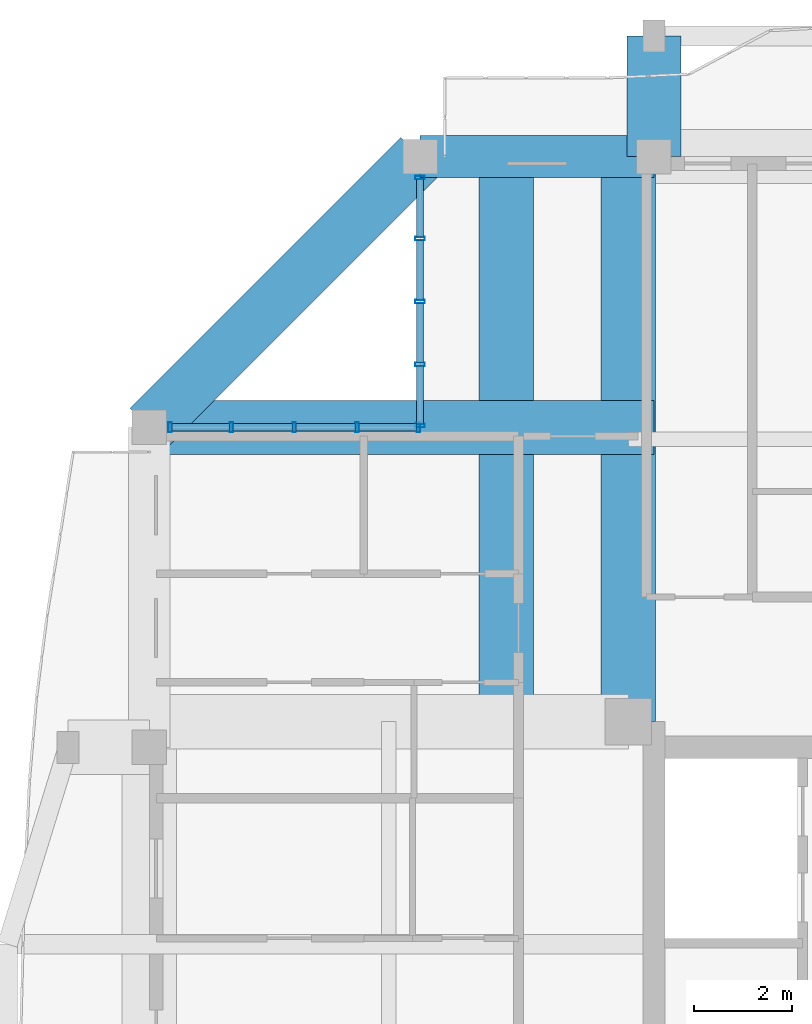
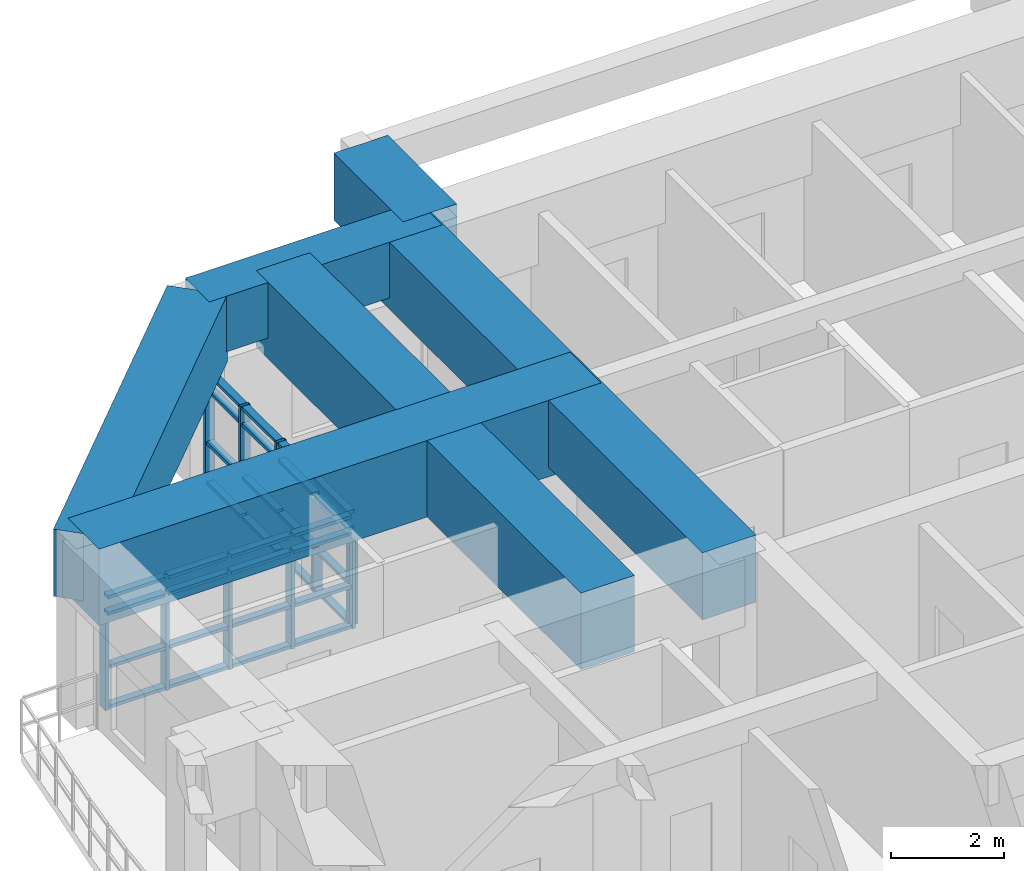
# One storey, part 8 of 27: 42 members, 6 beams, 2 elements without a shape of their own.
"""IFC4 building model written with IfcOpenShell, lengths in metres."""

from ifc_helpers import new_model, si_unit, direction, frame, origin, origin_2d, place, context, subcontext, project, spatial, rectangle, hollow_rectangle, extrude, source, transform, mapped, material, layer, layer_set, material_profile, profile_set, type_object, element, aggregate, save


model = new_model("IFC4")

# Units and contexts
model_context = context("Model", 3, precision=1e-05, world=origin(), true_north=direction((0.0, 1.0)))
body_context = subcontext(model_context, "Body", "Model", "MODEL_VIEW")
ifc_project = project(units=[si_unit("LENGTHUNIT", "METRE"), si_unit("AREAUNIT", "SQUARE_METRE"), si_unit("VOLUMEUNIT", "CUBIC_METRE"), si_unit("PLANEANGLEUNIT", "RADIAN"), si_unit("MASSUNIT", "GRAM", prefix="KILO")], contexts=[model_context])

# Site, building, storey
site_placement = place(None, origin())
site = spatial("IfcSite", under=ifc_project, at=site_placement, CompositionType="ELEMENT")
building_placement = place(site_placement, origin())
building = spatial("IfcBuilding", under=site, at=building_placement, Name="Saelheon Loggia Tower", CompositionType="ELEMENT")
storey_placement = place(building_placement, frame((0.0, 0.0, 236.10009765625)))
storey = spatial("IfcBuildingStorey", under=building, at=storey_placement, Name="L73", CompositionType="ELEMENT", Elevation=236.10009765625)

# Beams
ifc_material_1 = material(Name="Concrete C50/60", Category="concrete")
ifc_material_profile_1 = material_profile(ifc_material_1, rectangle(XDim=1.10009765625, YDim=1.449951171875, at=origin_2d()), Name="RC-1100x1450")
ifc_profile_set_1 = profile_set([ifc_material_profile_1], Name="Concrete C50/60")
beam_type_1 = type_object("IfcBeamType", Name="Beam_PerimTransfer_RC1100x1450", PredefinedType="BEAM", material=ifc_profile_set_1)
shared_shape_1 = source(origin(), body_context, "Body", "SweptSolid", [
    extrude(rectangle(XDim=1.10009765625, YDim=1.449951171875, at=origin_2d()), origin(), (0.0, 0.0, 1.0), 2.449951171875),
])
beam_1_placement = place(storey_placement, frame((31.5, 48.0, 3.1748046875), z_axis=(0.0, 1.0, 0.0), x_axis=(-1.0, 0.0, 0.0)))
element("IfcBeam", 1, at=beam_1_placement, inside=storey, type_object=beam_type_1, Name="L73 Loggia Frame Tie Beam LP-N1", PredefinedType="BEAM", context=body_context, shape_type="MappedRepresentation", body=[
    mapped(shared_shape_1, transform((0.0, 0.0, 0.0), scale=1.0)),
])
ifc_material_profile_2 = material_profile(ifc_material_1, rectangle(XDim=1.10009765625, YDim=1.449951171875, at=origin_2d()), Name="RC-1100x1450")
ifc_profile_set_2 = profile_set([ifc_material_profile_2], Name="Concrete C50/60")
beam_type_2 = type_object("IfcBeamType", Name="Beam_Transfer_RC1100x1450", PredefinedType="BEAM", material=ifc_profile_set_2)
shared_shape_2 = source(origin(), body_context, "Body", "SweptSolid", [
    extrude(rectangle(XDim=1.10009765625, YDim=1.449951171875, at=origin_2d()), origin(), (0.0, 0.0, 1.0), 11.47998046875),
])
beam_2_placement = place(storey_placement, frame((30.97998046875, 36.52001953125, 3.1748046875), z_axis=(0.0, 1.0, 0.0), x_axis=(-1.0, 0.0, 0.0)))
element("IfcBeam", 2, at=beam_2_placement, inside=storey, type_object=beam_type_2, Name="L73 Radial Floor Girder RAD-NW-N", PredefinedType="BEAM", context=body_context, shape_type="MappedRepresentation", body=[
    mapped(shared_shape_2, transform((0.0, 0.0, 0.0), scale=1.0)),
])
ifc_material_profile_3 = material_profile(ifc_material_1, rectangle(XDim=1.10009765625, YDim=1.64990234375, at=origin_2d()), Name="RC-1100x1650")
ifc_profile_set_3 = profile_set([ifc_material_profile_3], Name="Concrete C50/60")
beam_type_3 = type_object("IfcBeamType", Name="Beam_MegaTransfer_RC1100x1650", PredefinedType="BEAM", material=ifc_profile_set_3)
shared_shape_3 = source(origin(), body_context, "Body", "SweptSolid", [
    extrude(rectangle(XDim=1.10009765625, YDim=1.64990234375, at=origin_2d()), origin(), (0.0, 0.0, 1.0), 11.47998046875),
])
beam_3_placement = place(storey_placement, frame((28.5, 36.52001953125, 3.074951171875), z_axis=(0.0, 1.0, 0.0), x_axis=(-1.0, 0.0, 0.0)))
element("IfcBeam", 3, at=beam_3_placement, inside=storey, type_object=beam_type_3, Name="TG-L73-NL-NW", PredefinedType="BEAM", context=body_context, shape_type="MappedRepresentation", body=[
    mapped(shared_shape_3, transform((0.0, 0.0, 0.0), scale=1.0)),
])
shared_shape_4 = source(origin(), body_context, "Body", "SweptSolid", [
    extrude(rectangle(XDim=1.10009765625, YDim=1.449951171875, at=origin_2d()), origin(), (0.0, 0.0, 1.0), 7.778076171875),
])
beam_4_placement = place(storey_placement, frame((26.75, 48.0, 3.1748046875), z_axis=(-0.707106781187, -0.707106781187, 0.0), x_axis=(0.707106781187, -0.707106781187, 0.0)))
element("IfcBeam", 4, at=beam_4_placement, inside=storey, type_object=beam_type_1, Name="L73 Perimeter Frame Girder 12", PredefinedType="BEAM", context=body_context, shape_type="MappedRepresentation", body=[
    mapped(shared_shape_4, transform((0.0, 0.0, 0.0), scale=1.0)),
])
ifc_material_profile_4 = material_profile(ifc_material_1, rectangle(XDim=0.85009765625, YDim=1.199951171875, at=origin_2d()), Name="RC-850x1200")
ifc_profile_set_4 = profile_set([ifc_material_profile_4], Name="Concrete C50/60")
beam_type_4 = type_object("IfcBeamType", Name="Beam_CornerShoulder_RC850x1200", PredefinedType="BEAM", material=ifc_profile_set_4)
shared_shape_5 = source(origin(), body_context, "Body", "SweptSolid", [
    extrude(rectangle(XDim=0.85009765625, YDim=1.199951171875, at=origin_2d()), origin(), (0.0, 0.0, 1.0), 4.75),
])
beam_5_placement = place(storey_placement, frame((31.5, 48.0, 3.2998046875), z_axis=(-1.0, 0.0, 0.0), x_axis=(0.0, -1.0, 0.0)))
element("IfcBeam", 5, at=beam_5_placement, inside=storey, type_object=beam_type_4, Name="L73 Corner Shoulder Beam 11", PredefinedType="BEAM", context=body_context, shape_type="MappedRepresentation", body=[
    mapped(shared_shape_5, transform((0.0, 0.0, 0.0), scale=1.0)),
])
shared_shape_6 = source(origin(), body_context, "Body", "SweptSolid", [
    extrude(rectangle(XDim=1.10009765625, YDim=1.64990234375, at=origin_2d()), origin(), (0.0, 0.0, 1.0), 10.25),
])
beam_6_placement = place(storey_placement, frame((21.25, 42.5, 3.074951171875), z_axis=(1.0, 0.0, 0.0), x_axis=(0.0, 1.0, 0.0)))
element("IfcBeam", 6, at=beam_6_placement, inside=storey, type_object=beam_type_3, Name="TG-L73-SH-NW", PredefinedType="BEAM", context=body_context, shape_type="MappedRepresentation", body=[
    mapped(shared_shape_6, transform((0.0, 0.0, 0.0), scale=1.0)),
])

# Curtain wall, members
ifc_material_2 = material(Name="High-Wind Aluminium and Triple Laminated Glass", Category="aluminium")
ifc_layer = layer(ifc_material_2, 0.179931640625)
ifc_layer_set = layer_set([ifc_layer], Name="High-Wind Aluminium and Triple Laminated Glass")
curtain_wall_type = type_object("IfcCurtainWallType", Name="CW_TowerLoggiaHigh", PredefinedType="NOTDEFINED", material=ifc_layer_set)
curtain_wall_1_placement = place(storey_placement, origin())
curtain_wall_1 = element("IfcCurtainWall", 7, at=curtain_wall_1_placement, inside=storey, type_object=curtain_wall_type, Name="L73 Corner Notch Glazing NW1", PredefinedType="NOTDEFINED")
ifc_material_3 = material(Name="Anodised Aluminium 6063-T6", Category="aluminium")
ifc_material_profile_5 = material_profile(ifc_material_3, hollow_rectangle(XDim=0.070068359375, YDim=0.199951171875, WallThickness=0.0048828125, at=origin_2d()), Name="RHS-200x70x5")
ifc_profile_set_5 = profile_set([ifc_material_profile_5], Name="Anodised Aluminium 6063-T6")
member_type_1 = type_object("IfcMemberType", Name="CW_TowerLoggiaHigh_Mullion", PredefinedType="MULLION", material=ifc_profile_set_5)
shared_shape_7 = source(origin(), body_context, "Body", "SweptSolid", [
    extrude(hollow_rectangle(XDim=0.070068359375, YDim=0.199951171875, WallThickness=0.0048828125, at=origin_2d()), origin(), (0.0, 0.0, 1.0), 2.43994140625),
])
member_1_placement = place(storey_placement, frame((26.75, 42.534912109375, 0.0), z_axis=(0.0, 0.0, 1.0), x_axis=(0.0, 1.0, 0.0)))
member_1 = element("IfcMember", 8, at=member_1_placement, type_object=member_type_1, Name="CW4 mullion 1", PredefinedType="MULLION", context=body_context, shape_type="MappedRepresentation", body=[
    mapped(shared_shape_7, transform((0.0, 0.0, 0.0), scale=1.0)),
])
member_2_placement = place(storey_placement, frame((26.75, 43.777587890625, 0.0), z_axis=(0.0, 0.0, 1.0), x_axis=(0.0, 1.0, 0.0)))
member_2 = element("IfcMember", 9, at=member_2_placement, type_object=member_type_1, Name="CW4 mullion 2", PredefinedType="MULLION", context=body_context, shape_type="MappedRepresentation", body=[
    mapped(shared_shape_7, transform((0.0, 0.0, 0.0), scale=1.0)),
])
member_3_placement = place(storey_placement, frame((26.75, 45.054931640625, 0.0), z_axis=(0.0, 0.0, 1.0), x_axis=(0.0, 1.0, 0.0)))
member_3 = element("IfcMember", 10, at=member_3_placement, type_object=member_type_1, Name="CW4 mullion 3", PredefinedType="MULLION", context=body_context, shape_type="MappedRepresentation", body=[
    mapped(shared_shape_7, transform((0.0, 0.0, 0.0), scale=1.0)),
])
member_4_placement = place(storey_placement, frame((26.75, 46.33251953125, 0.0), z_axis=(0.0, 0.0, 1.0), x_axis=(0.0, 1.0, 0.0)))
member_4 = element("IfcMember", 11, at=member_4_placement, type_object=member_type_1, Name="CW4 mullion 4", PredefinedType="MULLION", context=body_context, shape_type="MappedRepresentation", body=[
    mapped(shared_shape_7, transform((0.0, 0.0, 0.0), scale=1.0)),
])
member_5_placement = place(storey_placement, frame((26.75, 47.574951171875, 0.0), z_axis=(0.0, 0.0, 1.0), x_axis=(0.0, 1.0, 0.0)))
member_5 = element("IfcMember", 12, at=member_5_placement, type_object=member_type_1, Name="CW4 mullion 5", PredefinedType="MULLION", context=body_context, shape_type="MappedRepresentation", body=[
    mapped(shared_shape_7, transform((0.0, 0.0, 0.0), scale=1.0)),
])

curtain_wall_2_placement = place(storey_placement, origin())
curtain_wall_2 = element("IfcCurtainWall", 13, at=curtain_wall_2_placement, inside=storey, type_object=curtain_wall_type, Name="L73 Corner Notch Glazing NW2", PredefinedType="NOTDEFINED")
member_6_placement = place(storey_placement, frame((21.675048828125, 42.5, 0.0), z_axis=(0.0, 0.0, 1.0), x_axis=(1.0, 0.0, 0.0)))
member_6 = element("IfcMember", 14, at=member_6_placement, type_object=member_type_1, Name="CW4 mullion 1", PredefinedType="MULLION", context=body_context, shape_type="MappedRepresentation", body=[
    mapped(shared_shape_7, transform((0.0, 0.0, 0.0), scale=1.0)),
])
member_7_placement = place(storey_placement, frame((22.91748046875, 42.5, 0.0), z_axis=(0.0, 0.0, 1.0), x_axis=(1.0, 0.0, 0.0)))
member_7 = element("IfcMember", 15, at=member_7_placement, type_object=member_type_1, Name="CW4 mullion 2", PredefinedType="MULLION", context=body_context, shape_type="MappedRepresentation", body=[
    mapped(shared_shape_7, transform((0.0, 0.0, 0.0), scale=1.0)),
])
member_8_placement = place(storey_placement, frame((24.195068359375, 42.5, 0.0), z_axis=(0.0, 0.0, 1.0), x_axis=(1.0, 0.0, 0.0)))
member_8 = element("IfcMember", 16, at=member_8_placement, type_object=member_type_1, Name="CW4 mullion 3", PredefinedType="MULLION", context=body_context, shape_type="MappedRepresentation", body=[
    mapped(shared_shape_7, transform((0.0, 0.0, 0.0), scale=1.0)),
])
member_9_placement = place(storey_placement, frame((25.472412109375, 42.5, 0.0), z_axis=(0.0, 0.0, 1.0), x_axis=(1.0, 0.0, 0.0)))
member_9 = element("IfcMember", 17, at=member_9_placement, type_object=member_type_1, Name="CW4 mullion 4", PredefinedType="MULLION", context=body_context, shape_type="MappedRepresentation", body=[
    mapped(shared_shape_7, transform((0.0, 0.0, 0.0), scale=1.0)),
])
member_10_placement = place(storey_placement, frame((26.715087890625, 42.5, 0.0), z_axis=(0.0, 0.0, 1.0), x_axis=(1.0, 0.0, 0.0)))
member_10 = element("IfcMember", 18, at=member_10_placement, type_object=member_type_1, Name="CW4 mullion 5", PredefinedType="MULLION", context=body_context, shape_type="MappedRepresentation", body=[
    mapped(shared_shape_7, transform((0.0, 0.0, 0.0), scale=1.0)),
])

# Member
ifc_material_profile_6 = material_profile(ifc_material_3, hollow_rectangle(XDim=0.070068359375, YDim=0.14990234375, WallThickness=0.0048828125, at=origin_2d()), Name="RHS-150x70x5")
ifc_profile_set_6 = profile_set([ifc_material_profile_6], Name="Anodised Aluminium 6063-T6")
member_type_2 = type_object("IfcMemberType", Name="CW_TowerLoggiaHigh_Transom", PredefinedType="USERDEFINED", material=ifc_profile_set_6)
shared_shape_8 = source(origin(), body_context, "Body", "SweptSolid", [
    extrude(hollow_rectangle(XDim=0.070068359375, YDim=0.14990234375, WallThickness=0.0048828125, at=origin_2d()), origin(), (0.0, 0.0, 1.0), 1.172607421875),
])
member_11_placement = place(storey_placement, frame((26.75, 46.367431640625, 0.034912109375), z_axis=(0.0, 1.0, 0.0), x_axis=(0.0, 0.0, 1.0)))
member_11 = element("IfcMember", 19, at=member_11_placement, type_object=member_type_2, Name="CW4 transom 4.1", ObjectType="TRANSOM", PredefinedType="USERDEFINED", context=body_context, shape_type="MappedRepresentation", body=[
    mapped(shared_shape_8, transform((0.0, 0.0, 0.0), scale=1.0)),
])

member_12_placement = place(storey_placement, frame((26.75, 46.367431640625, 0.89990234375), z_axis=(0.0, 1.0, 0.0), x_axis=(0.0, 0.0, 1.0)))
member_12 = element("IfcMember", 20, at=member_12_placement, type_object=member_type_2, Name="CW4 transom 4.2", ObjectType="TRANSOM", PredefinedType="USERDEFINED", context=body_context, shape_type="MappedRepresentation", body=[
    mapped(shared_shape_8, transform((0.0, 0.0, 0.0), scale=1.0)),
])

member_13_placement = place(storey_placement, frame((26.75, 46.367431640625, 2.0498046875), z_axis=(0.0, 1.0, 0.0), x_axis=(0.0, 0.0, 1.0)))
member_13 = element("IfcMember", 21, at=member_13_placement, type_object=member_type_2, Name="CW4 transom 4.3", ObjectType="TRANSOM", PredefinedType="USERDEFINED", context=body_context, shape_type="MappedRepresentation", body=[
    mapped(shared_shape_8, transform((0.0, 0.0, 0.0), scale=1.0)),
])

member_14_placement = place(storey_placement, frame((26.75, 46.367431640625, 2.40478515625), z_axis=(0.0, 1.0, 0.0), x_axis=(0.0, 0.0, 1.0)))
member_14 = element("IfcMember", 22, at=member_14_placement, type_object=member_type_2, Name="CW4 transom 4.4", ObjectType="TRANSOM", PredefinedType="USERDEFINED", context=body_context, shape_type="MappedRepresentation", body=[
    mapped(shared_shape_8, transform((0.0, 0.0, 0.0), scale=1.0)),
])

member_15_placement = place(storey_placement, frame((21.7099609375, 42.5, 0.034912109375), z_axis=(1.0, 0.0, 0.0), x_axis=(0.0, 0.0, 1.0)))
member_15 = element("IfcMember", 23, at=member_15_placement, type_object=member_type_2, Name="CW4 transom 1.1", ObjectType="TRANSOM", PredefinedType="USERDEFINED", context=body_context, shape_type="MappedRepresentation", body=[
    mapped(shared_shape_8, transform((0.0, 0.0, 0.0), scale=1.0)),
])

member_16_placement = place(storey_placement, frame((21.7099609375, 42.5, 0.89990234375), z_axis=(1.0, 0.0, 0.0), x_axis=(0.0, 0.0, 1.0)))
member_16 = element("IfcMember", 24, at=member_16_placement, type_object=member_type_2, Name="CW4 transom 1.2", ObjectType="TRANSOM", PredefinedType="USERDEFINED", context=body_context, shape_type="MappedRepresentation", body=[
    mapped(shared_shape_8, transform((0.0, 0.0, 0.0), scale=1.0)),
])

member_17_placement = place(storey_placement, frame((21.7099609375, 42.5, 2.0498046875), z_axis=(1.0, 0.0, 0.0), x_axis=(0.0, 0.0, 1.0)))
member_17 = element("IfcMember", 25, at=member_17_placement, type_object=member_type_2, Name="CW4 transom 1.3", ObjectType="TRANSOM", PredefinedType="USERDEFINED", context=body_context, shape_type="MappedRepresentation", body=[
    mapped(shared_shape_8, transform((0.0, 0.0, 0.0), scale=1.0)),
])

member_18_placement = place(storey_placement, frame((21.7099609375, 42.5, 2.40478515625), z_axis=(1.0, 0.0, 0.0), x_axis=(0.0, 0.0, 1.0)))
member_18 = element("IfcMember", 26, at=member_18_placement, type_object=member_type_2, Name="CW4 transom 1.4", ObjectType="TRANSOM", PredefinedType="USERDEFINED", context=body_context, shape_type="MappedRepresentation", body=[
    mapped(shared_shape_8, transform((0.0, 0.0, 0.0), scale=1.0)),
])

shared_shape_9 = source(origin(), body_context, "Body", "SweptSolid", [
    extrude(hollow_rectangle(XDim=0.070068359375, YDim=0.14990234375, WallThickness=0.0048828125, at=origin_2d()), origin(), (0.0, 0.0, 1.0), 1.20751953125),
])
member_19_placement = place(storey_placement, frame((26.75, 43.8125, 0.034912109375), z_axis=(0.0, 1.0, 0.0), x_axis=(0.0, 0.0, 1.0)))
member_19 = element("IfcMember", 27, at=member_19_placement, type_object=member_type_2, Name="CW4 transom 2.1", ObjectType="TRANSOM", PredefinedType="USERDEFINED", context=body_context, shape_type="MappedRepresentation", body=[
    mapped(shared_shape_9, transform((0.0, 0.0, 0.0), scale=1.0)),
])

member_20_placement = place(storey_placement, frame((26.75, 43.8125, 0.89990234375), z_axis=(0.0, 1.0, 0.0), x_axis=(0.0, 0.0, 1.0)))
member_20 = element("IfcMember", 28, at=member_20_placement, type_object=member_type_2, Name="CW4 transom 2.2", ObjectType="TRANSOM", PredefinedType="USERDEFINED", context=body_context, shape_type="MappedRepresentation", body=[
    mapped(shared_shape_9, transform((0.0, 0.0, 0.0), scale=1.0)),
])

member_21_placement = place(storey_placement, frame((26.75, 43.8125, 2.0498046875), z_axis=(0.0, 1.0, 0.0), x_axis=(0.0, 0.0, 1.0)))
member_21 = element("IfcMember", 29, at=member_21_placement, type_object=member_type_2, Name="CW4 transom 2.3", ObjectType="TRANSOM", PredefinedType="USERDEFINED", context=body_context, shape_type="MappedRepresentation", body=[
    mapped(shared_shape_9, transform((0.0, 0.0, 0.0), scale=1.0)),
])

member_22_placement = place(storey_placement, frame((26.75, 43.8125, 2.40478515625), z_axis=(0.0, 1.0, 0.0), x_axis=(0.0, 0.0, 1.0)))
member_22 = element("IfcMember", 30, at=member_22_placement, type_object=member_type_2, Name="CW4 transom 2.4", ObjectType="TRANSOM", PredefinedType="USERDEFINED", context=body_context, shape_type="MappedRepresentation", body=[
    mapped(shared_shape_9, transform((0.0, 0.0, 0.0), scale=1.0)),
])

member_23_placement = place(storey_placement, frame((26.75, 45.090087890625, 0.034912109375), z_axis=(0.0, 1.0, 0.0), x_axis=(0.0, 0.0, 1.0)))
member_23 = element("IfcMember", 31, at=member_23_placement, type_object=member_type_2, Name="CW4 transom 3.1", ObjectType="TRANSOM", PredefinedType="USERDEFINED", context=body_context, shape_type="MappedRepresentation", body=[
    mapped(shared_shape_9, transform((0.0, 0.0, 0.0), scale=1.0)),
])

member_24_placement = place(storey_placement, frame((26.75, 45.090087890625, 0.89990234375), z_axis=(0.0, 1.0, 0.0), x_axis=(0.0, 0.0, 1.0)))
member_24 = element("IfcMember", 32, at=member_24_placement, type_object=member_type_2, Name="CW4 transom 3.2", ObjectType="TRANSOM", PredefinedType="USERDEFINED", context=body_context, shape_type="MappedRepresentation", body=[
    mapped(shared_shape_9, transform((0.0, 0.0, 0.0), scale=1.0)),
])

member_25_placement = place(storey_placement, frame((26.75, 45.090087890625, 2.0498046875), z_axis=(0.0, 1.0, 0.0), x_axis=(0.0, 0.0, 1.0)))
member_25 = element("IfcMember", 33, at=member_25_placement, type_object=member_type_2, Name="CW4 transom 3.3", ObjectType="TRANSOM", PredefinedType="USERDEFINED", context=body_context, shape_type="MappedRepresentation", body=[
    mapped(shared_shape_9, transform((0.0, 0.0, 0.0), scale=1.0)),
])

member_26_placement = place(storey_placement, frame((26.75, 45.090087890625, 2.40478515625), z_axis=(0.0, 1.0, 0.0), x_axis=(0.0, 0.0, 1.0)))
member_26 = element("IfcMember", 34, at=member_26_placement, type_object=member_type_2, Name="CW4 transom 3.4", ObjectType="TRANSOM", PredefinedType="USERDEFINED", context=body_context, shape_type="MappedRepresentation", body=[
    mapped(shared_shape_9, transform((0.0, 0.0, 0.0), scale=1.0)),
])

member_27_placement = place(storey_placement, frame((22.952392578125, 42.5, 0.034912109375), z_axis=(1.0, 0.0, 0.0), x_axis=(0.0, 0.0, 1.0)))
member_27 = element("IfcMember", 35, at=member_27_placement, type_object=member_type_2, Name="CW4 transom 2.1", ObjectType="TRANSOM", PredefinedType="USERDEFINED", context=body_context, shape_type="MappedRepresentation", body=[
    mapped(shared_shape_9, transform((0.0, 0.0, 0.0), scale=1.0)),
])

member_28_placement = place(storey_placement, frame((22.952392578125, 42.5, 0.89990234375), z_axis=(1.0, 0.0, 0.0), x_axis=(0.0, 0.0, 1.0)))
member_28 = element("IfcMember", 36, at=member_28_placement, type_object=member_type_2, Name="CW4 transom 2.2", ObjectType="TRANSOM", PredefinedType="USERDEFINED", context=body_context, shape_type="MappedRepresentation", body=[
    mapped(shared_shape_9, transform((0.0, 0.0, 0.0), scale=1.0)),
])

member_29_placement = place(storey_placement, frame((22.952392578125, 42.5, 2.0498046875), z_axis=(1.0, 0.0, 0.0), x_axis=(0.0, 0.0, 1.0)))
member_29 = element("IfcMember", 37, at=member_29_placement, type_object=member_type_2, Name="CW4 transom 2.3", ObjectType="TRANSOM", PredefinedType="USERDEFINED", context=body_context, shape_type="MappedRepresentation", body=[
    mapped(shared_shape_9, transform((0.0, 0.0, 0.0), scale=1.0)),
])

member_30_placement = place(storey_placement, frame((22.952392578125, 42.5, 2.40478515625), z_axis=(1.0, 0.0, 0.0), x_axis=(0.0, 0.0, 1.0)))
member_30 = element("IfcMember", 38, at=member_30_placement, type_object=member_type_2, Name="CW4 transom 2.4", ObjectType="TRANSOM", PredefinedType="USERDEFINED", context=body_context, shape_type="MappedRepresentation", body=[
    mapped(shared_shape_9, transform((0.0, 0.0, 0.0), scale=1.0)),
])

member_31_placement = place(storey_placement, frame((24.22998046875, 42.5, 0.034912109375), z_axis=(1.0, 0.0, 0.0), x_axis=(0.0, 0.0, 1.0)))
member_31 = element("IfcMember", 39, at=member_31_placement, type_object=member_type_2, Name="CW4 transom 3.1", ObjectType="TRANSOM", PredefinedType="USERDEFINED", context=body_context, shape_type="MappedRepresentation", body=[
    mapped(shared_shape_9, transform((0.0, 0.0, 0.0), scale=1.0)),
])

member_32_placement = place(storey_placement, frame((24.22998046875, 42.5, 0.89990234375), z_axis=(1.0, 0.0, 0.0), x_axis=(0.0, 0.0, 1.0)))
member_32 = element("IfcMember", 40, at=member_32_placement, type_object=member_type_2, Name="CW4 transom 3.2", ObjectType="TRANSOM", PredefinedType="USERDEFINED", context=body_context, shape_type="MappedRepresentation", body=[
    mapped(shared_shape_9, transform((0.0, 0.0, 0.0), scale=1.0)),
])

member_33_placement = place(storey_placement, frame((24.22998046875, 42.5, 2.0498046875), z_axis=(1.0, 0.0, 0.0), x_axis=(0.0, 0.0, 1.0)))
member_33 = element("IfcMember", 41, at=member_33_placement, type_object=member_type_2, Name="CW4 transom 3.3", ObjectType="TRANSOM", PredefinedType="USERDEFINED", context=body_context, shape_type="MappedRepresentation", body=[
    mapped(shared_shape_9, transform((0.0, 0.0, 0.0), scale=1.0)),
])

member_34_placement = place(storey_placement, frame((24.22998046875, 42.5, 2.40478515625), z_axis=(1.0, 0.0, 0.0), x_axis=(0.0, 0.0, 1.0)))
member_34 = element("IfcMember", 42, at=member_34_placement, type_object=member_type_2, Name="CW4 transom 3.4", ObjectType="TRANSOM", PredefinedType="USERDEFINED", context=body_context, shape_type="MappedRepresentation", body=[
    mapped(shared_shape_9, transform((0.0, 0.0, 0.0), scale=1.0)),
])

shared_shape_10 = source(origin(), body_context, "Body", "SweptSolid", [
    extrude(hollow_rectangle(XDim=0.070068359375, YDim=0.14990234375, WallThickness=0.0048828125, at=origin_2d()), origin(), (0.0, 0.0, 1.0), 1.17236328125),
])
member_35_placement = place(storey_placement, frame((26.75, 42.570068359375, 0.034912109375), z_axis=(0.0, 1.0, 0.0), x_axis=(0.0, 0.0, 1.0)))
member_35 = element("IfcMember", 43, at=member_35_placement, type_object=member_type_2, Name="CW4 transom 1.1", ObjectType="TRANSOM", PredefinedType="USERDEFINED", context=body_context, shape_type="MappedRepresentation", body=[
    mapped(shared_shape_10, transform((0.0, 0.0, 0.0), scale=1.0)),
])

member_36_placement = place(storey_placement, frame((26.75, 42.570068359375, 0.89990234375), z_axis=(0.0, 1.0, 0.0), x_axis=(0.0, 0.0, 1.0)))
member_36 = element("IfcMember", 44, at=member_36_placement, type_object=member_type_2, Name="CW4 transom 1.2", ObjectType="TRANSOM", PredefinedType="USERDEFINED", context=body_context, shape_type="MappedRepresentation", body=[
    mapped(shared_shape_10, transform((0.0, 0.0, 0.0), scale=1.0)),
])

member_37_placement = place(storey_placement, frame((26.75, 42.570068359375, 2.0498046875), z_axis=(0.0, 1.0, 0.0), x_axis=(0.0, 0.0, 1.0)))
member_37 = element("IfcMember", 45, at=member_37_placement, type_object=member_type_2, Name="CW4 transom 1.3", ObjectType="TRANSOM", PredefinedType="USERDEFINED", context=body_context, shape_type="MappedRepresentation", body=[
    mapped(shared_shape_10, transform((0.0, 0.0, 0.0), scale=1.0)),
])

member_38_placement = place(storey_placement, frame((26.75, 42.570068359375, 2.40478515625), z_axis=(0.0, 1.0, 0.0), x_axis=(0.0, 0.0, 1.0)))
member_38 = element("IfcMember", 46, at=member_38_placement, type_object=member_type_2, Name="CW4 transom 1.4", ObjectType="TRANSOM", PredefinedType="USERDEFINED", context=body_context, shape_type="MappedRepresentation", body=[
    mapped(shared_shape_10, transform((0.0, 0.0, 0.0), scale=1.0)),
])

aggregate(curtain_wall_1, [member_1, member_2, member_3, member_4, member_5, member_35, member_36, member_37, member_38, member_19, member_20, member_21, member_22, member_23, member_24, member_25, member_26, member_11, member_12, member_13, member_14])

member_39_placement = place(storey_placement, frame((25.507568359375, 42.5, 0.034912109375), z_axis=(1.0, 0.0, 0.0), x_axis=(0.0, 0.0, 1.0)))
member_39 = element("IfcMember", 47, at=member_39_placement, type_object=member_type_2, Name="CW4 transom 4.1", ObjectType="TRANSOM", PredefinedType="USERDEFINED", context=body_context, shape_type="MappedRepresentation", body=[
    mapped(shared_shape_10, transform((0.0, 0.0, 0.0), scale=1.0)),
])

member_40_placement = place(storey_placement, frame((25.507568359375, 42.5, 0.89990234375), z_axis=(1.0, 0.0, 0.0), x_axis=(0.0, 0.0, 1.0)))
member_40 = element("IfcMember", 48, at=member_40_placement, type_object=member_type_2, Name="CW4 transom 4.2", ObjectType="TRANSOM", PredefinedType="USERDEFINED", context=body_context, shape_type="MappedRepresentation", body=[
    mapped(shared_shape_10, transform((0.0, 0.0, 0.0), scale=1.0)),
])

member_41_placement = place(storey_placement, frame((25.507568359375, 42.5, 2.0498046875), z_axis=(1.0, 0.0, 0.0), x_axis=(0.0, 0.0, 1.0)))
member_41 = element("IfcMember", 49, at=member_41_placement, type_object=member_type_2, Name="CW4 transom 4.3", ObjectType="TRANSOM", PredefinedType="USERDEFINED", context=body_context, shape_type="MappedRepresentation", body=[
    mapped(shared_shape_10, transform((0.0, 0.0, 0.0), scale=1.0)),
])

member_42_placement = place(storey_placement, frame((25.507568359375, 42.5, 2.40478515625), z_axis=(1.0, 0.0, 0.0), x_axis=(0.0, 0.0, 1.0)))
member_42 = element("IfcMember", 50, at=member_42_placement, type_object=member_type_2, Name="CW4 transom 4.4", ObjectType="TRANSOM", PredefinedType="USERDEFINED", context=body_context, shape_type="MappedRepresentation", body=[
    mapped(shared_shape_10, transform((0.0, 0.0, 0.0), scale=1.0)),
])

aggregate(curtain_wall_2, [member_6, member_7, member_8, member_9, member_10, member_15, member_16, member_17, member_18, member_27, member_28, member_29, member_30, member_31, member_32, member_33, member_34, member_39, member_40, member_41, member_42])

save(model, "model.ifc")
